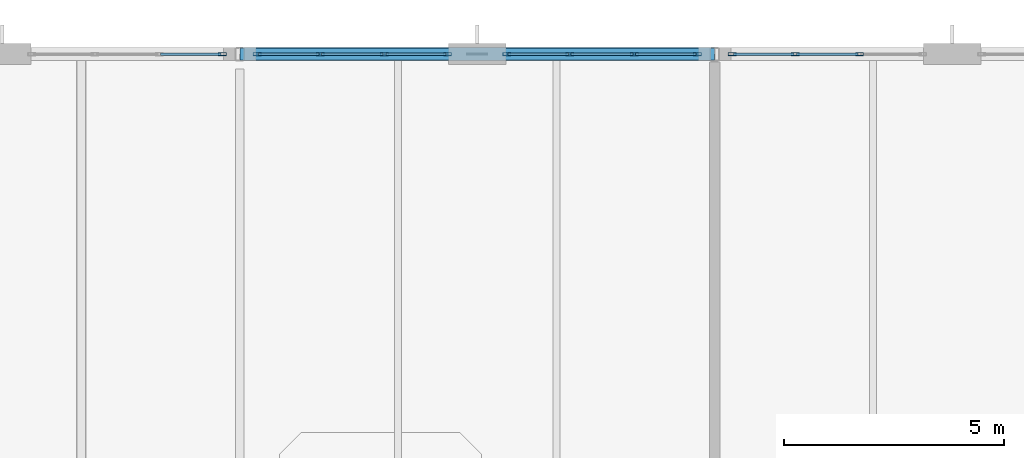
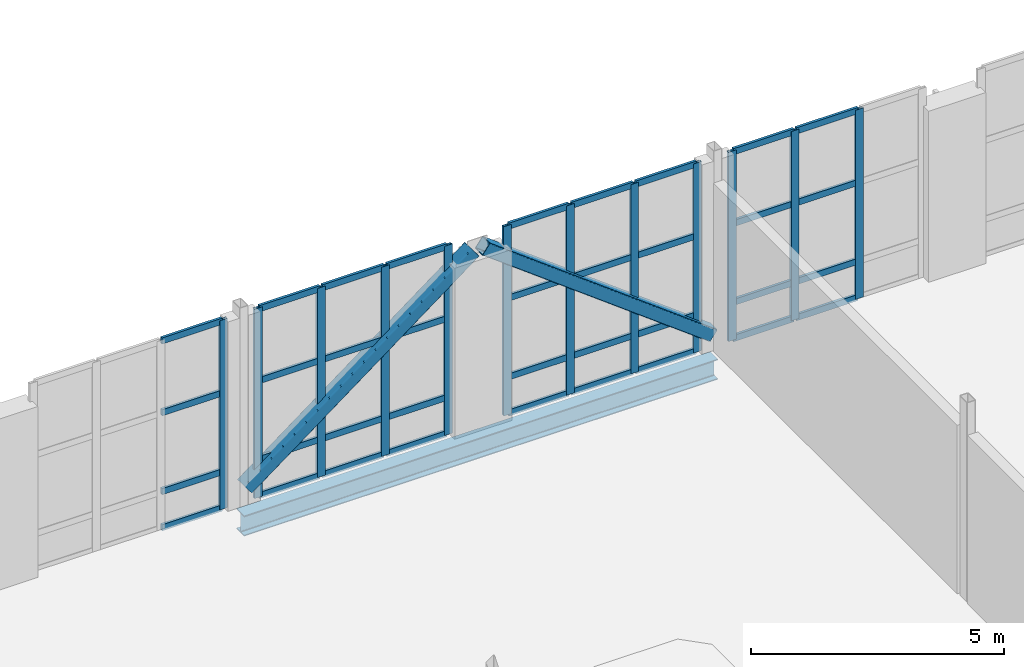
# One storey, part 55 of 100: 50 members, 1 beam, 4 elements without a shape of their own.
"""IFC4 building model written with IfcOpenShell, lengths in metres."""

from ifc_helpers import new_model, si_unit, direction, frame, origin, origin_2d, place, context, subcontext, project, spatial, hollow_rectangle, i_section, extrude, material, layer, layer_set, material_profile, profile_set, type_object, element, aggregate, save


model = new_model("IFC4")

# Units and contexts
model_context = context("Model", 3, precision=1e-05, world=origin(), true_north=direction((0.0, 1.0)))
body_context = subcontext(model_context, "Body", "Model", "MODEL_VIEW")
ifc_project = project(units=[si_unit("LENGTHUNIT", "METRE"), si_unit("AREAUNIT", "SQUARE_METRE"), si_unit("VOLUMEUNIT", "CUBIC_METRE"), si_unit("PLANEANGLEUNIT", "RADIAN"), si_unit("MASSUNIT", "GRAM", prefix="KILO")], contexts=[model_context])

# Site, building, storey
site_placement = place(None, origin())
site = spatial("IfcSite", under=ifc_project, at=site_placement, CompositionType="ELEMENT")
building_placement = place(site_placement, origin())
building = spatial("IfcBuilding", under=site, at=building_placement, Name="Tasgan Crest Museum", CompositionType="ELEMENT")
storey_placement = place(building_placement, frame((0.0, 0.0, 9.60009765625)))
storey = spatial("IfcBuildingStorey", under=building, at=storey_placement, Name="L02", CompositionType="ELEMENT", Elevation=9.60009765625)

# Beam
ifc_material_1 = material(Name="Steel S355J2", Category="steel")
ifc_material_profile_1 = material_profile(ifc_material_1, i_section(OverallWidth=0.300048828125, OverallDepth=0.489990234375, WebThickness=0.011962890625, FlangeThickness=0.02294921875, FilletRadius=0.027099609375, at=origin_2d()), Name="HEA 500")
ifc_profile_set_1 = profile_set([ifc_material_profile_1], Name="Steel S355J2")
beam_type = type_object("IfcBeamType", Name="BM-G-HEA500", PredefinedType="BEAM", material=ifc_profile_set_1)
beam_placement = place(storey_placement, frame((64.80517578125, 112.0, -0.485107421875), z_axis=(1.0, 0.0, 0.0), x_axis=(0.0, 1.0, 0.0)))
element("IfcBeam", 1, at=beam_placement, inside=storey, type_object=beam_type, Name="Girder L02 M 64.8-75.6", PredefinedType="BEAM", context=body_context, shape_type="SweptSolid", body=[
    extrude(i_section(OverallWidth=0.300048828125, OverallDepth=0.489990234375, WebThickness=0.011962890625, FlangeThickness=0.02294921875, FilletRadius=0.027099609375, at=origin_2d()), origin(), (0.0, 0.0, 1.0), 10.78955078125),
])

# Curtain wall, members
ifc_material_2 = material(Name="Triple-Glazed Aluminium Curtain Wall", Category="aluminium")
ifc_layer_1 = layer(ifc_material_2, 0.179931640625, Name="CW-GAL-X-48")
ifc_layer_set_1 = layer_set([ifc_layer_1], Name="Triple-Glazed Aluminium Curtain Wall")
curtain_wall_type_1 = type_object("IfcCurtainWallType", Name="CW-GAL-X-48", PredefinedType="NOTDEFINED", material=ifc_layer_set_1)
curtain_wall_1_placement = place(storey_placement, origin())
curtain_wall_1 = element("IfcCurtainWall", 2, at=curtain_wall_1_placement, inside=storey, type_object=curtain_wall_type_1, Name="Curtain wall L02 082", PredefinedType="NOTDEFINED")
ifc_material_3 = material(Name="Anodised Aluminium", Category="aluminium")
ifc_material_profile_2 = material_profile(ifc_material_3, hollow_rectangle(XDim=0.06494140625, YDim=0.179931640625, WallThickness=0.0048828125, at=origin_2d()), Name="ALU MULLION 180x65x5")
ifc_profile_set_2 = profile_set([ifc_material_profile_2], Name="Anodised Aluminium")
member_type_1 = type_object("IfcMemberType", Name="CW-MULLION-180", PredefinedType="MULLION", material=ifc_profile_set_2)
member_1_placement = place(storey_placement, frame((78.8916015625, 112.0, 0.0), z_axis=(0.0, 0.0, 1.0), x_axis=(0.0, -1.0, 0.0)))
member_1 = element("IfcMember", 3, at=member_1_placement, type_object=member_type_1, Name="CW13 mullion 2", PredefinedType="MULLION", context=body_context, shape_type="SweptSolid", body=[
    extrude(hollow_rectangle(XDim=0.06494140625, YDim=0.179931640625, WallThickness=0.0048828125, at=origin_2d()), origin(), (0.0, 0.0, 1.0), 4.559814453125),
])
member_2_placement = place(storey_placement, frame((77.42822265625, 112.0, 0.0), z_axis=(0.0, 0.0, 1.0), x_axis=(0.0, -1.0, 0.0)))
member_2 = element("IfcMember", 4, at=member_2_placement, type_object=member_type_1, Name="CW13 mullion 3", PredefinedType="MULLION", context=body_context, shape_type="SweptSolid", body=[
    extrude(hollow_rectangle(XDim=0.06494140625, YDim=0.179931640625, WallThickness=0.0048828125, at=origin_2d()), origin(), (0.0, 0.0, 1.0), 4.559814453125),
])
member_3_placement = place(storey_placement, frame((75.9951171875, 112.0, 0.0), z_axis=(0.0, 0.0, 1.0), x_axis=(0.0, -1.0, 0.0)))
member_3 = element("IfcMember", 5, at=member_3_placement, type_object=member_type_1, Name="CW13 mullion 4", PredefinedType="MULLION", context=body_context, shape_type="SweptSolid", body=[
    extrude(hollow_rectangle(XDim=0.06494140625, YDim=0.179931640625, WallThickness=0.0048828125, at=origin_2d()), origin(), (0.0, 0.0, 1.0), 4.559814453125),
])

curtain_wall_2_placement = place(storey_placement, origin())
curtain_wall_2 = element("IfcCurtainWall", 6, at=curtain_wall_2_placement, inside=storey, type_object=curtain_wall_type_1, Name="Curtain wall L02 083", PredefinedType="NOTDEFINED")
member_4_placement = place(storey_placement, frame((75.205078125, 112.0, 0.0), z_axis=(0.0, 0.0, 1.0), x_axis=(0.0, -1.0, 0.0)))
member_4 = element("IfcMember", 7, at=member_4_placement, type_object=member_type_1, Name="CW13 mullion 1", PredefinedType="MULLION", context=body_context, shape_type="SweptSolid", body=[
    extrude(hollow_rectangle(XDim=0.06494140625, YDim=0.179931640625, WallThickness=0.0048828125, at=origin_2d()), origin(), (0.0, 0.0, 1.0), 4.559814453125),
])
member_5_placement = place(storey_placement, frame((73.771728515625, 112.0, 0.0), z_axis=(0.0, 0.0, 1.0), x_axis=(0.0, -1.0, 0.0)))
member_5 = element("IfcMember", 8, at=member_5_placement, type_object=member_type_1, Name="CW13 mullion 2", PredefinedType="MULLION", context=body_context, shape_type="SweptSolid", body=[
    extrude(hollow_rectangle(XDim=0.06494140625, YDim=0.179931640625, WallThickness=0.0048828125, at=origin_2d()), origin(), (0.0, 0.0, 1.0), 4.559814453125),
])
member_6_placement = place(storey_placement, frame((72.308349609375, 112.0, 0.0), z_axis=(0.0, 0.0, 1.0), x_axis=(0.0, -1.0, 0.0)))
member_6 = element("IfcMember", 9, at=member_6_placement, type_object=member_type_1, Name="CW13 mullion 3", PredefinedType="MULLION", context=body_context, shape_type="SweptSolid", body=[
    extrude(hollow_rectangle(XDim=0.06494140625, YDim=0.179931640625, WallThickness=0.0048828125, at=origin_2d()), origin(), (0.0, 0.0, 1.0), 4.559814453125),
])
member_7_placement = place(storey_placement, frame((70.875, 112.0, 0.0), z_axis=(0.0, 0.0, 1.0), x_axis=(0.0, -1.0, 0.0)))
member_7 = element("IfcMember", 10, at=member_7_placement, type_object=member_type_1, Name="CW13 mullion 4", PredefinedType="MULLION", context=body_context, shape_type="SweptSolid", body=[
    extrude(hollow_rectangle(XDim=0.06494140625, YDim=0.179931640625, WallThickness=0.0048828125, at=origin_2d()), origin(), (0.0, 0.0, 1.0), 4.559814453125),
])

curtain_wall_3_placement = place(storey_placement, origin())
curtain_wall_3 = element("IfcCurtainWall", 11, at=curtain_wall_3_placement, inside=storey, type_object=curtain_wall_type_1, Name="Curtain wall L02 084", PredefinedType="NOTDEFINED")
member_8_placement = place(storey_placement, frame((69.52490234375, 112.0, 0.0), z_axis=(0.0, 0.0, 1.0), x_axis=(0.0, -1.0, 0.0)))
member_8 = element("IfcMember", 12, at=member_8_placement, type_object=member_type_1, Name="CW13 mullion 1", PredefinedType="MULLION", context=body_context, shape_type="SweptSolid", body=[
    extrude(hollow_rectangle(XDim=0.06494140625, YDim=0.179931640625, WallThickness=0.0048828125, at=origin_2d()), origin(), (0.0, 0.0, 1.0), 4.559814453125),
])
member_9_placement = place(storey_placement, frame((68.091552734375, 112.0, 0.0), z_axis=(0.0, 0.0, 1.0), x_axis=(0.0, -1.0, 0.0)))
member_9 = element("IfcMember", 13, at=member_9_placement, type_object=member_type_1, Name="CW13 mullion 2", PredefinedType="MULLION", context=body_context, shape_type="SweptSolid", body=[
    extrude(hollow_rectangle(XDim=0.06494140625, YDim=0.179931640625, WallThickness=0.0048828125, at=origin_2d()), origin(), (0.0, 0.0, 1.0), 4.559814453125),
])
member_10_placement = place(storey_placement, frame((66.62841796875, 112.0, 0.0), z_axis=(0.0, 0.0, 1.0), x_axis=(0.0, -1.0, 0.0)))
member_10 = element("IfcMember", 14, at=member_10_placement, type_object=member_type_1, Name="CW13 mullion 3", PredefinedType="MULLION", context=body_context, shape_type="SweptSolid", body=[
    extrude(hollow_rectangle(XDim=0.06494140625, YDim=0.179931640625, WallThickness=0.0048828125, at=origin_2d()), origin(), (0.0, 0.0, 1.0), 4.559814453125),
])
member_11_placement = place(storey_placement, frame((65.195068359375, 112.0, 0.0), z_axis=(0.0, 0.0, 1.0), x_axis=(0.0, -1.0, 0.0)))
member_11 = element("IfcMember", 15, at=member_11_placement, type_object=member_type_1, Name="CW13 mullion 4", PredefinedType="MULLION", context=body_context, shape_type="SweptSolid", body=[
    extrude(hollow_rectangle(XDim=0.06494140625, YDim=0.179931640625, WallThickness=0.0048828125, at=origin_2d()), origin(), (0.0, 0.0, 1.0), 4.559814453125),
])

# Curtain wall, member
ifc_material_4 = material(Name="Triple-Glazed Aluminium Curtain Wall", Category="aluminium")
ifc_layer_2 = layer(ifc_material_4, 0.179931640625, Name="CW-CORE-STRIP-48")
ifc_layer_set_2 = layer_set([ifc_layer_2], Name="Triple-Glazed Aluminium Curtain Wall")
curtain_wall_type_2 = type_object("IfcCurtainWallType", Name="CW-CORE-STRIP-48", PredefinedType="NOTDEFINED", material=ifc_layer_set_2)
curtain_wall_4_placement = place(storey_placement, origin())
curtain_wall_4 = element("IfcCurtainWall", 16, at=curtain_wall_4_placement, inside=storey, type_object=curtain_wall_type_2, Name="Curtain wall L02 085", PredefinedType="NOTDEFINED")
member_12_placement = place(storey_placement, frame((64.405029296875, 112.0, 0.0), z_axis=(0.0, 0.0, 1.0), x_axis=(0.0, -1.0, 0.0)))
member_12 = element("IfcMember", 17, at=member_12_placement, type_object=member_type_1, Name="CW19 mullion 1", PredefinedType="MULLION", context=body_context, shape_type="SweptSolid", body=[
    extrude(hollow_rectangle(XDim=0.06494140625, YDim=0.179931640625, WallThickness=0.0048828125, at=origin_2d()), origin(), (0.0, 0.0, 1.0), 4.559814453125),
])

# Member
ifc_material_5 = material(Name="Anodised Aluminium", Category="aluminium")
ifc_material_profile_3 = material_profile(ifc_material_5, hollow_rectangle(XDim=0.06005859375, YDim=0.14990234375, WallThickness=0.0048828125, at=origin_2d()), Name="ALU TRANSOM 150x60x5")
ifc_profile_set_3 = profile_set([ifc_material_profile_3], Name="Anodised Aluminium")
member_type_2 = type_object("IfcMemberType", Name="CW-TRANSOM-150", PredefinedType="USERDEFINED", material=ifc_profile_set_3)
member_13_placement = place(storey_placement, frame((78.861572265625, 112.0, 0.02978515625), z_axis=(-1.0, 0.0, 0.0), x_axis=(0.0, -1.0, 0.0)))
member_13 = element("IfcMember", 18, at=member_13_placement, type_object=member_type_2, Name="CW13 transom 2.1", ObjectType="TRANSOM", PredefinedType="USERDEFINED", context=body_context, shape_type="SweptSolid", body=[
    extrude(hollow_rectangle(XDim=0.06005859375, YDim=0.14990234375, WallThickness=0.0048828125, at=origin_2d()), origin(), (0.0, 0.0, 1.0), 1.4033203125),
])

member_14_placement = place(storey_placement, frame((78.861572265625, 112.0, 0.89990234375), z_axis=(-1.0, 0.0, 0.0), x_axis=(0.0, -1.0, 0.0)))
member_14 = element("IfcMember", 19, at=member_14_placement, type_object=member_type_2, Name="CW13 transom 2.2", ObjectType="TRANSOM", PredefinedType="USERDEFINED", context=body_context, shape_type="SweptSolid", body=[
    extrude(hollow_rectangle(XDim=0.06005859375, YDim=0.14990234375, WallThickness=0.0048828125, at=origin_2d()), origin(), (0.0, 0.0, 1.0), 1.4033203125),
])

member_15_placement = place(storey_placement, frame((78.861572265625, 112.0, 2.7998046875), z_axis=(-1.0, 0.0, 0.0), x_axis=(0.0, -1.0, 0.0)))
member_15 = element("IfcMember", 20, at=member_15_placement, type_object=member_type_2, Name="CW13 transom 2.3", ObjectType="TRANSOM", PredefinedType="USERDEFINED", context=body_context, shape_type="SweptSolid", body=[
    extrude(hollow_rectangle(XDim=0.06005859375, YDim=0.14990234375, WallThickness=0.0048828125, at=origin_2d()), origin(), (0.0, 0.0, 1.0), 1.4033203125),
])

member_16_placement = place(storey_placement, frame((78.861572265625, 112.0, 4.52978515625), z_axis=(-1.0, 0.0, 0.0), x_axis=(0.0, -1.0, 0.0)))
member_16 = element("IfcMember", 21, at=member_16_placement, type_object=member_type_2, Name="CW13 transom 2.4", ObjectType="TRANSOM", PredefinedType="USERDEFINED", context=body_context, shape_type="SweptSolid", body=[
    extrude(hollow_rectangle(XDim=0.06005859375, YDim=0.14990234375, WallThickness=0.0048828125, at=origin_2d()), origin(), (0.0, 0.0, 1.0), 1.4033203125),
])

member_17_placement = place(storey_placement, frame((77.3984375, 112.0, 0.02978515625), z_axis=(-1.0, 0.0, 0.0), x_axis=(0.0, -1.0, 0.0)))
member_17 = element("IfcMember", 22, at=member_17_placement, type_object=member_type_2, Name="CW13 transom 3.1", ObjectType="TRANSOM", PredefinedType="USERDEFINED", context=body_context, shape_type="SweptSolid", body=[
    extrude(hollow_rectangle(XDim=0.06005859375, YDim=0.14990234375, WallThickness=0.0048828125, at=origin_2d()), origin(), (0.0, 0.0, 1.0), 1.37353515625),
])

member_18_placement = place(storey_placement, frame((77.3984375, 112.0, 0.89990234375), z_axis=(-1.0, 0.0, 0.0), x_axis=(0.0, -1.0, 0.0)))
member_18 = element("IfcMember", 23, at=member_18_placement, type_object=member_type_2, Name="CW13 transom 3.2", ObjectType="TRANSOM", PredefinedType="USERDEFINED", context=body_context, shape_type="SweptSolid", body=[
    extrude(hollow_rectangle(XDim=0.06005859375, YDim=0.14990234375, WallThickness=0.0048828125, at=origin_2d()), origin(), (0.0, 0.0, 1.0), 1.37353515625),
])

member_19_placement = place(storey_placement, frame((77.3984375, 112.0, 2.7998046875), z_axis=(-1.0, 0.0, 0.0), x_axis=(0.0, -1.0, 0.0)))
member_19 = element("IfcMember", 24, at=member_19_placement, type_object=member_type_2, Name="CW13 transom 3.3", ObjectType="TRANSOM", PredefinedType="USERDEFINED", context=body_context, shape_type="SweptSolid", body=[
    extrude(hollow_rectangle(XDim=0.06005859375, YDim=0.14990234375, WallThickness=0.0048828125, at=origin_2d()), origin(), (0.0, 0.0, 1.0), 1.37353515625),
])

member_20_placement = place(storey_placement, frame((77.3984375, 112.0, 4.52978515625), z_axis=(-1.0, 0.0, 0.0), x_axis=(0.0, -1.0, 0.0)))
member_20 = element("IfcMember", 25, at=member_20_placement, type_object=member_type_2, Name="CW13 transom 3.4", ObjectType="TRANSOM", PredefinedType="USERDEFINED", context=body_context, shape_type="SweptSolid", body=[
    extrude(hollow_rectangle(XDim=0.06005859375, YDim=0.14990234375, WallThickness=0.0048828125, at=origin_2d()), origin(), (0.0, 0.0, 1.0), 1.37353515625),
])

aggregate(curtain_wall_1, [member_1, member_2, member_3, member_13, member_14, member_15, member_16, member_17, member_18, member_19, member_20])

member_21_placement = place(storey_placement, frame((75.175048828125, 112.0, 0.02978515625), z_axis=(-1.0, 0.0, 0.0), x_axis=(0.0, -1.0, 0.0)))
member_21 = element("IfcMember", 26, at=member_21_placement, type_object=member_type_2, Name="CW13 transom 1.1", ObjectType="TRANSOM", PredefinedType="USERDEFINED", context=body_context, shape_type="SweptSolid", body=[
    extrude(hollow_rectangle(XDim=0.06005859375, YDim=0.14990234375, WallThickness=0.0048828125, at=origin_2d()), origin(), (0.0, 0.0, 1.0), 1.373291015625),
])

member_22_placement = place(storey_placement, frame((75.175048828125, 112.0, 0.89990234375), z_axis=(-1.0, 0.0, 0.0), x_axis=(0.0, -1.0, 0.0)))
member_22 = element("IfcMember", 27, at=member_22_placement, type_object=member_type_2, Name="CW13 transom 1.2", ObjectType="TRANSOM", PredefinedType="USERDEFINED", context=body_context, shape_type="SweptSolid", body=[
    extrude(hollow_rectangle(XDim=0.06005859375, YDim=0.14990234375, WallThickness=0.0048828125, at=origin_2d()), origin(), (0.0, 0.0, 1.0), 1.373291015625),
])

member_23_placement = place(storey_placement, frame((75.175048828125, 112.0, 2.7998046875), z_axis=(-1.0, 0.0, 0.0), x_axis=(0.0, -1.0, 0.0)))
member_23 = element("IfcMember", 28, at=member_23_placement, type_object=member_type_2, Name="CW13 transom 1.3", ObjectType="TRANSOM", PredefinedType="USERDEFINED", context=body_context, shape_type="SweptSolid", body=[
    extrude(hollow_rectangle(XDim=0.06005859375, YDim=0.14990234375, WallThickness=0.0048828125, at=origin_2d()), origin(), (0.0, 0.0, 1.0), 1.373291015625),
])

member_24_placement = place(storey_placement, frame((75.175048828125, 112.0, 4.52978515625), z_axis=(-1.0, 0.0, 0.0), x_axis=(0.0, -1.0, 0.0)))
member_24 = element("IfcMember", 29, at=member_24_placement, type_object=member_type_2, Name="CW13 transom 1.4", ObjectType="TRANSOM", PredefinedType="USERDEFINED", context=body_context, shape_type="SweptSolid", body=[
    extrude(hollow_rectangle(XDim=0.06005859375, YDim=0.14990234375, WallThickness=0.0048828125, at=origin_2d()), origin(), (0.0, 0.0, 1.0), 1.373291015625),
])

member_25_placement = place(storey_placement, frame((73.74169921875, 112.0, 0.02978515625), z_axis=(-1.0, 0.0, 0.0), x_axis=(0.0, -1.0, 0.0)))
member_25 = element("IfcMember", 30, at=member_25_placement, type_object=member_type_2, Name="CW13 transom 2.1", ObjectType="TRANSOM", PredefinedType="USERDEFINED", context=body_context, shape_type="SweptSolid", body=[
    extrude(hollow_rectangle(XDim=0.06005859375, YDim=0.14990234375, WallThickness=0.0048828125, at=origin_2d()), origin(), (0.0, 0.0, 1.0), 1.4033203125),
])

member_26_placement = place(storey_placement, frame((73.74169921875, 112.0, 0.89990234375), z_axis=(-1.0, 0.0, 0.0), x_axis=(0.0, -1.0, 0.0)))
member_26 = element("IfcMember", 31, at=member_26_placement, type_object=member_type_2, Name="CW13 transom 2.2", ObjectType="TRANSOM", PredefinedType="USERDEFINED", context=body_context, shape_type="SweptSolid", body=[
    extrude(hollow_rectangle(XDim=0.06005859375, YDim=0.14990234375, WallThickness=0.0048828125, at=origin_2d()), origin(), (0.0, 0.0, 1.0), 1.4033203125),
])

member_27_placement = place(storey_placement, frame((73.74169921875, 112.0, 2.7998046875), z_axis=(-1.0, 0.0, 0.0), x_axis=(0.0, -1.0, 0.0)))
member_27 = element("IfcMember", 32, at=member_27_placement, type_object=member_type_2, Name="CW13 transom 2.3", ObjectType="TRANSOM", PredefinedType="USERDEFINED", context=body_context, shape_type="SweptSolid", body=[
    extrude(hollow_rectangle(XDim=0.06005859375, YDim=0.14990234375, WallThickness=0.0048828125, at=origin_2d()), origin(), (0.0, 0.0, 1.0), 1.4033203125),
])

member_28_placement = place(storey_placement, frame((73.74169921875, 112.0, 4.52978515625), z_axis=(-1.0, 0.0, 0.0), x_axis=(0.0, -1.0, 0.0)))
member_28 = element("IfcMember", 33, at=member_28_placement, type_object=member_type_2, Name="CW13 transom 2.4", ObjectType="TRANSOM", PredefinedType="USERDEFINED", context=body_context, shape_type="SweptSolid", body=[
    extrude(hollow_rectangle(XDim=0.06005859375, YDim=0.14990234375, WallThickness=0.0048828125, at=origin_2d()), origin(), (0.0, 0.0, 1.0), 1.4033203125),
])

member_29_placement = place(storey_placement, frame((72.2783203125, 112.0, 0.02978515625), z_axis=(-1.0, 0.0, 0.0), x_axis=(0.0, -1.0, 0.0)))
member_29 = element("IfcMember", 34, at=member_29_placement, type_object=member_type_2, Name="CW13 transom 3.1", ObjectType="TRANSOM", PredefinedType="USERDEFINED", context=body_context, shape_type="SweptSolid", body=[
    extrude(hollow_rectangle(XDim=0.06005859375, YDim=0.14990234375, WallThickness=0.0048828125, at=origin_2d()), origin(), (0.0, 0.0, 1.0), 1.373291015625),
])

member_30_placement = place(storey_placement, frame((72.2783203125, 112.0, 0.89990234375), z_axis=(-1.0, 0.0, 0.0), x_axis=(0.0, -1.0, 0.0)))
member_30 = element("IfcMember", 35, at=member_30_placement, type_object=member_type_2, Name="CW13 transom 3.2", ObjectType="TRANSOM", PredefinedType="USERDEFINED", context=body_context, shape_type="SweptSolid", body=[
    extrude(hollow_rectangle(XDim=0.06005859375, YDim=0.14990234375, WallThickness=0.0048828125, at=origin_2d()), origin(), (0.0, 0.0, 1.0), 1.373291015625),
])

member_31_placement = place(storey_placement, frame((72.2783203125, 112.0, 2.7998046875), z_axis=(-1.0, 0.0, 0.0), x_axis=(0.0, -1.0, 0.0)))
member_31 = element("IfcMember", 36, at=member_31_placement, type_object=member_type_2, Name="CW13 transom 3.3", ObjectType="TRANSOM", PredefinedType="USERDEFINED", context=body_context, shape_type="SweptSolid", body=[
    extrude(hollow_rectangle(XDim=0.06005859375, YDim=0.14990234375, WallThickness=0.0048828125, at=origin_2d()), origin(), (0.0, 0.0, 1.0), 1.373291015625),
])

member_32_placement = place(storey_placement, frame((72.2783203125, 112.0, 4.52978515625), z_axis=(-1.0, 0.0, 0.0), x_axis=(0.0, -1.0, 0.0)))
member_32 = element("IfcMember", 37, at=member_32_placement, type_object=member_type_2, Name="CW13 transom 3.4", ObjectType="TRANSOM", PredefinedType="USERDEFINED", context=body_context, shape_type="SweptSolid", body=[
    extrude(hollow_rectangle(XDim=0.06005859375, YDim=0.14990234375, WallThickness=0.0048828125, at=origin_2d()), origin(), (0.0, 0.0, 1.0), 1.373291015625),
])

aggregate(curtain_wall_2, [member_4, member_5, member_6, member_7, member_21, member_22, member_23, member_24, member_25, member_26, member_27, member_28, member_29, member_30, member_31, member_32])

member_33_placement = place(storey_placement, frame((69.4951171875, 112.0, 0.02978515625), z_axis=(-1.0, 0.0, 0.0), x_axis=(0.0, -1.0, 0.0)))
member_33 = element("IfcMember", 38, at=member_33_placement, type_object=member_type_2, Name="CW13 transom 1.1", ObjectType="TRANSOM", PredefinedType="USERDEFINED", context=body_context, shape_type="SweptSolid", body=[
    extrude(hollow_rectangle(XDim=0.06005859375, YDim=0.14990234375, WallThickness=0.0048828125, at=origin_2d()), origin(), (0.0, 0.0, 1.0), 1.37353515625),
])

member_34_placement = place(storey_placement, frame((69.4951171875, 112.0, 0.89990234375), z_axis=(-1.0, 0.0, 0.0), x_axis=(0.0, -1.0, 0.0)))
member_34 = element("IfcMember", 39, at=member_34_placement, type_object=member_type_2, Name="CW13 transom 1.2", ObjectType="TRANSOM", PredefinedType="USERDEFINED", context=body_context, shape_type="SweptSolid", body=[
    extrude(hollow_rectangle(XDim=0.06005859375, YDim=0.14990234375, WallThickness=0.0048828125, at=origin_2d()), origin(), (0.0, 0.0, 1.0), 1.37353515625),
])

member_35_placement = place(storey_placement, frame((69.4951171875, 112.0, 2.7998046875), z_axis=(-1.0, 0.0, 0.0), x_axis=(0.0, -1.0, 0.0)))
member_35 = element("IfcMember", 40, at=member_35_placement, type_object=member_type_2, Name="CW13 transom 1.3", ObjectType="TRANSOM", PredefinedType="USERDEFINED", context=body_context, shape_type="SweptSolid", body=[
    extrude(hollow_rectangle(XDim=0.06005859375, YDim=0.14990234375, WallThickness=0.0048828125, at=origin_2d()), origin(), (0.0, 0.0, 1.0), 1.37353515625),
])

member_36_placement = place(storey_placement, frame((69.4951171875, 112.0, 4.52978515625), z_axis=(-1.0, 0.0, 0.0), x_axis=(0.0, -1.0, 0.0)))
member_36 = element("IfcMember", 41, at=member_36_placement, type_object=member_type_2, Name="CW13 transom 1.4", ObjectType="TRANSOM", PredefinedType="USERDEFINED", context=body_context, shape_type="SweptSolid", body=[
    extrude(hollow_rectangle(XDim=0.06005859375, YDim=0.14990234375, WallThickness=0.0048828125, at=origin_2d()), origin(), (0.0, 0.0, 1.0), 1.37353515625),
])

member_37_placement = place(storey_placement, frame((68.061767578125, 112.0, 0.02978515625), z_axis=(-1.0, 0.0, 0.0), x_axis=(0.0, -1.0, 0.0)))
member_37 = element("IfcMember", 42, at=member_37_placement, type_object=member_type_2, Name="CW13 transom 2.1", ObjectType="TRANSOM", PredefinedType="USERDEFINED", context=body_context, shape_type="SweptSolid", body=[
    extrude(hollow_rectangle(XDim=0.06005859375, YDim=0.14990234375, WallThickness=0.0048828125, at=origin_2d()), origin(), (0.0, 0.0, 1.0), 1.4033203125),
])

member_38_placement = place(storey_placement, frame((68.061767578125, 112.0, 0.89990234375), z_axis=(-1.0, 0.0, 0.0), x_axis=(0.0, -1.0, 0.0)))
member_38 = element("IfcMember", 43, at=member_38_placement, type_object=member_type_2, Name="CW13 transom 2.2", ObjectType="TRANSOM", PredefinedType="USERDEFINED", context=body_context, shape_type="SweptSolid", body=[
    extrude(hollow_rectangle(XDim=0.06005859375, YDim=0.14990234375, WallThickness=0.0048828125, at=origin_2d()), origin(), (0.0, 0.0, 1.0), 1.4033203125),
])

member_39_placement = place(storey_placement, frame((68.061767578125, 112.0, 2.7998046875), z_axis=(-1.0, 0.0, 0.0), x_axis=(0.0, -1.0, 0.0)))
member_39 = element("IfcMember", 44, at=member_39_placement, type_object=member_type_2, Name="CW13 transom 2.3", ObjectType="TRANSOM", PredefinedType="USERDEFINED", context=body_context, shape_type="SweptSolid", body=[
    extrude(hollow_rectangle(XDim=0.06005859375, YDim=0.14990234375, WallThickness=0.0048828125, at=origin_2d()), origin(), (0.0, 0.0, 1.0), 1.4033203125),
])

member_40_placement = place(storey_placement, frame((68.061767578125, 112.0, 4.52978515625), z_axis=(-1.0, 0.0, 0.0), x_axis=(0.0, -1.0, 0.0)))
member_40 = element("IfcMember", 45, at=member_40_placement, type_object=member_type_2, Name="CW13 transom 2.4", ObjectType="TRANSOM", PredefinedType="USERDEFINED", context=body_context, shape_type="SweptSolid", body=[
    extrude(hollow_rectangle(XDim=0.06005859375, YDim=0.14990234375, WallThickness=0.0048828125, at=origin_2d()), origin(), (0.0, 0.0, 1.0), 1.4033203125),
])

member_41_placement = place(storey_placement, frame((66.598388671875, 112.0, 0.02978515625), z_axis=(-1.0, 0.0, 0.0), x_axis=(0.0, -1.0, 0.0)))
member_41 = element("IfcMember", 46, at=member_41_placement, type_object=member_type_2, Name="CW13 transom 3.1", ObjectType="TRANSOM", PredefinedType="USERDEFINED", context=body_context, shape_type="SweptSolid", body=[
    extrude(hollow_rectangle(XDim=0.06005859375, YDim=0.14990234375, WallThickness=0.0048828125, at=origin_2d()), origin(), (0.0, 0.0, 1.0), 1.373291015625),
])

member_42_placement = place(storey_placement, frame((66.598388671875, 112.0, 0.89990234375), z_axis=(-1.0, 0.0, 0.0), x_axis=(0.0, -1.0, 0.0)))
member_42 = element("IfcMember", 47, at=member_42_placement, type_object=member_type_2, Name="CW13 transom 3.2", ObjectType="TRANSOM", PredefinedType="USERDEFINED", context=body_context, shape_type="SweptSolid", body=[
    extrude(hollow_rectangle(XDim=0.06005859375, YDim=0.14990234375, WallThickness=0.0048828125, at=origin_2d()), origin(), (0.0, 0.0, 1.0), 1.373291015625),
])

member_43_placement = place(storey_placement, frame((66.598388671875, 112.0, 2.7998046875), z_axis=(-1.0, 0.0, 0.0), x_axis=(0.0, -1.0, 0.0)))
member_43 = element("IfcMember", 48, at=member_43_placement, type_object=member_type_2, Name="CW13 transom 3.3", ObjectType="TRANSOM", PredefinedType="USERDEFINED", context=body_context, shape_type="SweptSolid", body=[
    extrude(hollow_rectangle(XDim=0.06005859375, YDim=0.14990234375, WallThickness=0.0048828125, at=origin_2d()), origin(), (0.0, 0.0, 1.0), 1.373291015625),
])

member_44_placement = place(storey_placement, frame((66.598388671875, 112.0, 4.52978515625), z_axis=(-1.0, 0.0, 0.0), x_axis=(0.0, -1.0, 0.0)))
member_44 = element("IfcMember", 49, at=member_44_placement, type_object=member_type_2, Name="CW13 transom 3.4", ObjectType="TRANSOM", PredefinedType="USERDEFINED", context=body_context, shape_type="SweptSolid", body=[
    extrude(hollow_rectangle(XDim=0.06005859375, YDim=0.14990234375, WallThickness=0.0048828125, at=origin_2d()), origin(), (0.0, 0.0, 1.0), 1.373291015625),
])

aggregate(curtain_wall_3, [member_8, member_9, member_10, member_11, member_33, member_34, member_35, member_36, member_37, member_38, member_39, member_40, member_41, member_42, member_43, member_44])

member_45_placement = place(storey_placement, frame((64.375, 112.0, 0.02978515625), z_axis=(-1.0, 0.0, 0.0), x_axis=(0.0, -1.0, 0.0)))
member_45 = element("IfcMember", 50, at=member_45_placement, type_object=member_type_2, Name="CW19 transom 1.1", ObjectType="TRANSOM", PredefinedType="USERDEFINED", context=body_context, shape_type="SweptSolid", body=[
    extrude(hollow_rectangle(XDim=0.06005859375, YDim=0.14990234375, WallThickness=0.0048828125, at=origin_2d()), origin(), (0.0, 0.0, 1.0), 1.373291015625),
])

member_46_placement = place(storey_placement, frame((64.375, 112.0, 0.89990234375), z_axis=(-1.0, 0.0, 0.0), x_axis=(0.0, -1.0, 0.0)))
member_46 = element("IfcMember", 51, at=member_46_placement, type_object=member_type_2, Name="CW19 transom 1.2", ObjectType="TRANSOM", PredefinedType="USERDEFINED", context=body_context, shape_type="SweptSolid", body=[
    extrude(hollow_rectangle(XDim=0.06005859375, YDim=0.14990234375, WallThickness=0.0048828125, at=origin_2d()), origin(), (0.0, 0.0, 1.0), 1.373291015625),
])

member_47_placement = place(storey_placement, frame((64.375, 112.0, 2.7998046875), z_axis=(-1.0, 0.0, 0.0), x_axis=(0.0, -1.0, 0.0)))
member_47 = element("IfcMember", 52, at=member_47_placement, type_object=member_type_2, Name="CW19 transom 1.3", ObjectType="TRANSOM", PredefinedType="USERDEFINED", context=body_context, shape_type="SweptSolid", body=[
    extrude(hollow_rectangle(XDim=0.06005859375, YDim=0.14990234375, WallThickness=0.0048828125, at=origin_2d()), origin(), (0.0, 0.0, 1.0), 1.373291015625),
])

member_48_placement = place(storey_placement, frame((64.375, 112.0, 4.52978515625), z_axis=(-1.0, 0.0, 0.0), x_axis=(0.0, -1.0, 0.0)))
member_48 = element("IfcMember", 53, at=member_48_placement, type_object=member_type_2, Name="CW19 transom 1.4", ObjectType="TRANSOM", PredefinedType="USERDEFINED", context=body_context, shape_type="SweptSolid", body=[
    extrude(hollow_rectangle(XDim=0.06005859375, YDim=0.14990234375, WallThickness=0.0048828125, at=origin_2d()), origin(), (0.0, 0.0, 1.0), 1.373291015625),
])

aggregate(curtain_wall_4, [member_12, member_45, member_46, member_47, member_48])

# Members
ifc_material_6 = material(Name="Steel S355K2", Category="steel")
ifc_material_profile_4 = material_profile(ifc_material_6, hollow_rectangle(XDim=0.300048828125, YDim=0.300048828125, WallThickness=0.01611328125, InnerFilletRadius=0.01611328125, OuterFilletRadius=0.031982421875, at=origin_2d()), Name="SHS 300x300x16")
ifc_profile_set_4 = profile_set([ifc_material_profile_4], Name="Steel S355K2")
member_type_3 = type_object("IfcMemberType", Name="MEM-BR-SHS300", PredefinedType="BRACE", material=ifc_profile_set_4)
for number, where, z_axis, x_axis, name in (
    (54, (64.89990234375, 112.0, 0.349853515625), (0.798887158388, 0.0, 0.601480929176), (0.0, 1.0, 0.0), "Chevron brace L L02 M 64.8"),
    (55, (75.5, 112.0, 0.349853515625), (-0.79887353628, 0.0, 0.601499021637), (0.0, -1.0, 0.0), "Chevron brace R L02 M 75.6"),
):
    element("IfcMember", number, at=place(storey_placement, frame(where, z_axis=z_axis, x_axis=x_axis)), inside=storey, type_object=member_type_3, Name=name, PredefinedType="BRACE", context=body_context, shape_type="SweptSolid", body=[
        extrude(hollow_rectangle(XDim=0.300048828125, YDim=0.300048828125, WallThickness=0.01611328125, InnerFilletRadius=0.01611328125, OuterFilletRadius=0.031982421875, at=origin_2d()), origin(), (0.0, 0.0, 1.0), 6.484130859375),
    ])

save(model, "model.ifc")
